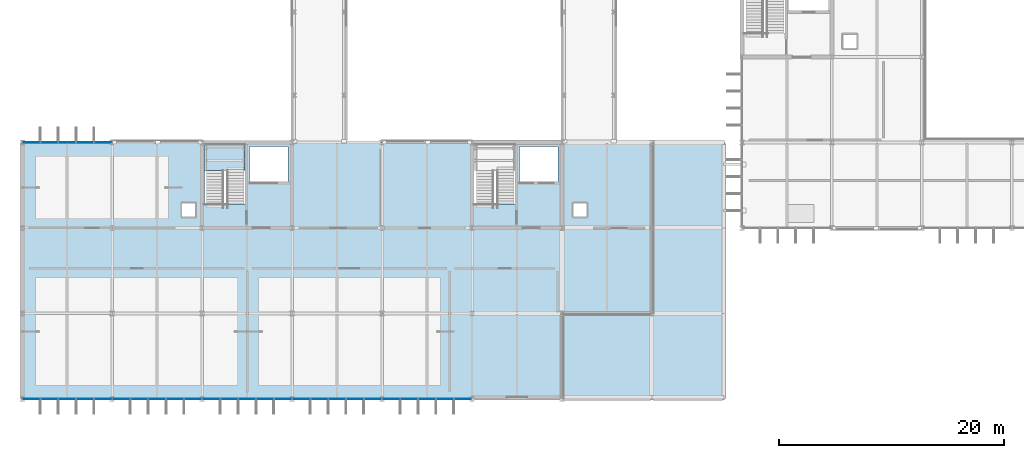
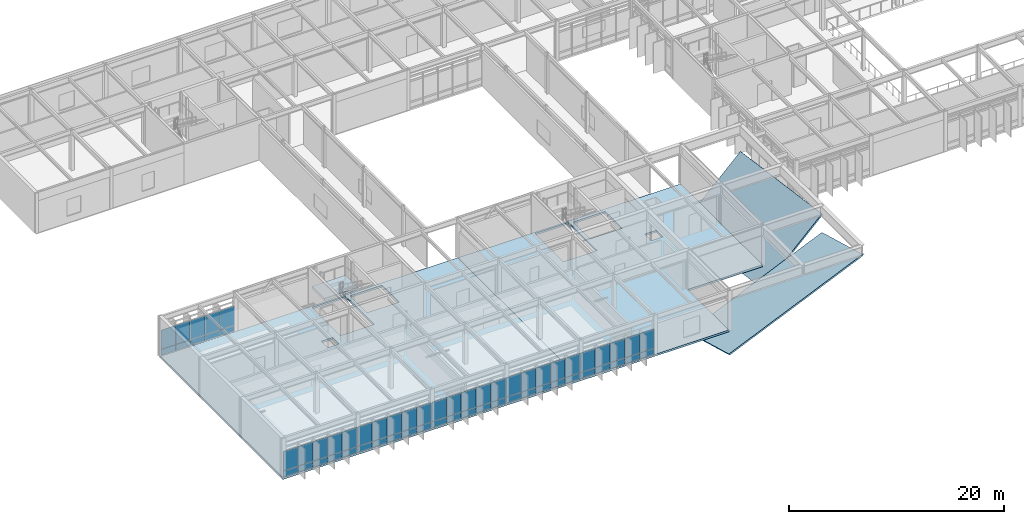
# One storey, part 70 of 104: 60 plates, 5 slabs, 7 elements without a shape of their own.
"""IFC4 building model written with IfcOpenShell, lengths in metres."""

from ifc_helpers import new_model, si_unit, direction, frame, origin, origin_2d, place, context, subcontext, project, spatial, polyline, rectangle, outline, extrude, material, layer, layer_set, type_object, element, aggregate, save


model = new_model("IFC4")

# Units and contexts
model_context = context("Model", 3, precision=1e-05, world=origin(), true_north=direction((0.0, 1.0)))
body_context = subcontext(model_context, "Body", "Model", "MODEL_VIEW")
ifc_project = project(units=[si_unit("LENGTHUNIT", "METRE"), si_unit("AREAUNIT", "SQUARE_METRE"), si_unit("VOLUMEUNIT", "CUBIC_METRE"), si_unit("PLANEANGLEUNIT", "RADIAN"), si_unit("MASSUNIT", "GRAM", prefix="KILO")], contexts=[model_context])

# Site, building, storey
site_placement = place(None, origin())
site = spatial("IfcSite", under=ifc_project, at=site_placement, CompositionType="ELEMENT")
building_placement = place(site_placement, origin())
building = spatial("IfcBuilding", under=site, at=building_placement, Name="Zulena Civic Courthouse", CompositionType="ELEMENT")
storey_placement = place(building_placement, frame((0.0, 0.0, 10.800048828125)))
storey = spatial("IfcBuildingStorey", under=building, at=storey_placement, Name="L02", CompositionType="ELEMENT", Elevation=10.800048828125)

# Curtain wall, plates
ifc_material_1 = material(Name="Double-silver low-E laminated solar-control glass", Category="glass")
curtain_wall_type = type_object("IfcCurtainWallType", Name="CW_7940x3490", PredefinedType="USERDEFINED", material=ifc_material_1)
curtain_wall_1_placement = place(storey_placement, origin())
curtain_wall_1 = element("IfcCurtainWall", 1, at=curtain_wall_1_placement, inside=storey, type_object=curtain_wall_type, Name="cw:V2:L02:1:0", ObjectType="UNITISED CURTAIN WALL", PredefinedType="USERDEFINED")
ifc_material_2 = material(Name="Ceramic-fritted insulated spandrel glass", Category="glass")
ifc_layer_1 = layer(ifc_material_2, 0.0458984375)
ifc_layer_set_1 = layer_set([ifc_layer_1], Name="Ceramic-fritted insulated spandrel glass")
plate_type_1 = type_object("IfcPlateType", Name="CWPanel_Spandrel_46", PredefinedType="CURTAIN_PANEL", material=ifc_layer_set_1)
plate_1_placement = place(storey_placement, frame((4.823974609375, 22.800048828125, 0.070068359375), z_axis=(0.0, 0.0, 1.0), x_axis=(1.0, 0.0, 0.0)))
plate_1 = element("IfcPlate", 2, at=plate_1_placement, type_object=plate_type_1, Name="cw:V2:L02:1:0:panS:0", PredefinedType="CURTAIN_PANEL", context=body_context, shape_type="SweptSolid", body=[
    extrude(rectangle(XDim=1.5380859375, YDim=0.0458984375, at=origin_2d()), origin(), (0.0, 0.0, 1.0), 0.669921875),
])
plate_2_placement = place(storey_placement, frame((6.412109375, 22.800048828125, 0.070068359375), z_axis=(0.0, 0.0, 1.0), x_axis=(1.0, 0.0, 0.0)))
plate_2 = element("IfcPlate", 3, at=plate_2_placement, type_object=plate_type_1, Name="cw:V2:L02:1:0:panS:1", PredefinedType="CURTAIN_PANEL", context=body_context, shape_type="SweptSolid", body=[
    extrude(rectangle(XDim=1.5380859375, YDim=0.0458984375, at=origin_2d()), origin(), (0.0, 0.0, 1.0), 0.669921875),
])
plate_3_placement = place(storey_placement, frame((8.0, 22.800048828125, 0.070068359375), z_axis=(0.0, 0.0, 1.0), x_axis=(1.0, 0.0, 0.0)))
plate_3 = element("IfcPlate", 4, at=plate_3_placement, type_object=plate_type_1, Name="cw:V2:L02:1:0:panS:2", PredefinedType="CURTAIN_PANEL", context=body_context, shape_type="SweptSolid", body=[
    extrude(rectangle(XDim=1.5380859375, YDim=0.0458984375, at=origin_2d()), origin(), (0.0, 0.0, 1.0), 0.669921875),
])
plate_4_placement = place(storey_placement, frame((9.587890625, 22.800048828125, 0.070068359375), z_axis=(0.0, 0.0, 1.0), x_axis=(1.0, 0.0, 0.0)))
plate_4 = element("IfcPlate", 5, at=plate_4_placement, type_object=plate_type_1, Name="cw:V2:L02:1:0:panS:3", PredefinedType="CURTAIN_PANEL", context=body_context, shape_type="SweptSolid", body=[
    extrude(rectangle(XDim=1.5380859375, YDim=0.0458984375, at=origin_2d()), origin(), (0.0, 0.0, 1.0), 0.669921875),
])
plate_5_placement = place(storey_placement, frame((11.176025390625, 22.800048828125, 0.070068359375), z_axis=(0.0, 0.0, 1.0), x_axis=(1.0, 0.0, 0.0)))
plate_5 = element("IfcPlate", 6, at=plate_5_placement, type_object=plate_type_1, Name="cw:V2:L02:1:0:panS:4", PredefinedType="CURTAIN_PANEL", context=body_context, shape_type="SweptSolid", body=[
    extrude(rectangle(XDim=1.5380859375, YDim=0.0458984375, at=origin_2d()), origin(), (0.0, 0.0, 1.0), 0.669921875),
])

curtain_wall_2_placement = place(storey_placement, origin())
curtain_wall_2 = element("IfcCurtainWall", 7, at=curtain_wall_2_placement, inside=storey, type_object=curtain_wall_type, Name="cw:V2:L02:5:1", ObjectType="UNITISED CURTAIN WALL", PredefinedType="USERDEFINED")
plate_6_placement = place(storey_placement, frame((43.176025390625, 0.0, 0.070068359375), z_axis=(0.0, 0.0, 1.0), x_axis=(-1.0, 0.0, 0.0)))
plate_6 = element("IfcPlate", 8, at=plate_6_placement, type_object=plate_type_1, Name="cw:V2:L02:5:1:panS:0", PredefinedType="CURTAIN_PANEL", context=body_context, shape_type="SweptSolid", body=[
    extrude(rectangle(XDim=1.5380859375, YDim=0.0458984375, at=origin_2d()), origin(), (0.0, 0.0, 1.0), 0.669921875),
])
plate_7_placement = place(storey_placement, frame((41.587890625, 0.0, 0.070068359375), z_axis=(0.0, 0.0, 1.0), x_axis=(-1.0, 0.0, 0.0)))
plate_7 = element("IfcPlate", 9, at=plate_7_placement, type_object=plate_type_1, Name="cw:V2:L02:5:1:panS:1", PredefinedType="CURTAIN_PANEL", context=body_context, shape_type="SweptSolid", body=[
    extrude(rectangle(XDim=1.5380859375, YDim=0.0458984375, at=origin_2d()), origin(), (0.0, 0.0, 1.0), 0.669921875),
])
plate_8_placement = place(storey_placement, frame((40.0, 0.0, 0.070068359375), z_axis=(0.0, 0.0, 1.0), x_axis=(-1.0, 0.0, 0.0)))
plate_8 = element("IfcPlate", 10, at=plate_8_placement, type_object=plate_type_1, Name="cw:V2:L02:5:1:panS:2", PredefinedType="CURTAIN_PANEL", context=body_context, shape_type="SweptSolid", body=[
    extrude(rectangle(XDim=1.5380859375, YDim=0.0458984375, at=origin_2d()), origin(), (0.0, 0.0, 1.0), 0.669921875),
])
plate_9_placement = place(storey_placement, frame((38.412109375, 0.0, 0.070068359375), z_axis=(0.0, 0.0, 1.0), x_axis=(-1.0, 0.0, 0.0)))
plate_9 = element("IfcPlate", 11, at=plate_9_placement, type_object=plate_type_1, Name="cw:V2:L02:5:1:panS:3", PredefinedType="CURTAIN_PANEL", context=body_context, shape_type="SweptSolid", body=[
    extrude(rectangle(XDim=1.5380859375, YDim=0.0458984375, at=origin_2d()), origin(), (0.0, 0.0, 1.0), 0.669921875),
])
plate_10_placement = place(storey_placement, frame((36.823974609375, 0.0, 0.070068359375), z_axis=(0.0, 0.0, 1.0), x_axis=(-1.0, 0.0, 0.0)))
plate_10 = element("IfcPlate", 12, at=plate_10_placement, type_object=plate_type_1, Name="cw:V2:L02:5:1:panS:4", PredefinedType="CURTAIN_PANEL", context=body_context, shape_type="SweptSolid", body=[
    extrude(rectangle(XDim=1.5380859375, YDim=0.0458984375, at=origin_2d()), origin(), (0.0, 0.0, 1.0), 0.669921875),
])

curtain_wall_3_placement = place(storey_placement, origin())
curtain_wall_3 = element("IfcCurtainWall", 13, at=curtain_wall_3_placement, inside=storey, type_object=curtain_wall_type, Name="cw:V2:L02:5:2", ObjectType="UNITISED CURTAIN WALL", PredefinedType="USERDEFINED")
plate_11_placement = place(storey_placement, frame((35.176025390625, 0.0, 0.070068359375), z_axis=(0.0, 0.0, 1.0), x_axis=(-1.0, 0.0, 0.0)))
plate_11 = element("IfcPlate", 14, at=plate_11_placement, type_object=plate_type_1, Name="cw:V2:L02:5:2:panS:0", PredefinedType="CURTAIN_PANEL", context=body_context, shape_type="SweptSolid", body=[
    extrude(rectangle(XDim=1.5380859375, YDim=0.0458984375, at=origin_2d()), origin(), (0.0, 0.0, 1.0), 0.669921875),
])
plate_12_placement = place(storey_placement, frame((33.587890625, 0.0, 0.070068359375), z_axis=(0.0, 0.0, 1.0), x_axis=(-1.0, 0.0, 0.0)))
plate_12 = element("IfcPlate", 15, at=plate_12_placement, type_object=plate_type_1, Name="cw:V2:L02:5:2:panS:1", PredefinedType="CURTAIN_PANEL", context=body_context, shape_type="SweptSolid", body=[
    extrude(rectangle(XDim=1.5380859375, YDim=0.0458984375, at=origin_2d()), origin(), (0.0, 0.0, 1.0), 0.669921875),
])
plate_13_placement = place(storey_placement, frame((32.0, 0.0, 0.070068359375), z_axis=(0.0, 0.0, 1.0), x_axis=(-1.0, 0.0, 0.0)))
plate_13 = element("IfcPlate", 16, at=plate_13_placement, type_object=plate_type_1, Name="cw:V2:L02:5:2:panS:2", PredefinedType="CURTAIN_PANEL", context=body_context, shape_type="SweptSolid", body=[
    extrude(rectangle(XDim=1.5380859375, YDim=0.0458984375, at=origin_2d()), origin(), (0.0, 0.0, 1.0), 0.669921875),
])
plate_14_placement = place(storey_placement, frame((30.412109375, 0.0, 0.070068359375), z_axis=(0.0, 0.0, 1.0), x_axis=(-1.0, 0.0, 0.0)))
plate_14 = element("IfcPlate", 17, at=plate_14_placement, type_object=plate_type_1, Name="cw:V2:L02:5:2:panS:3", PredefinedType="CURTAIN_PANEL", context=body_context, shape_type="SweptSolid", body=[
    extrude(rectangle(XDim=1.5380859375, YDim=0.0458984375, at=origin_2d()), origin(), (0.0, 0.0, 1.0), 0.669921875),
])
plate_15_placement = place(storey_placement, frame((28.823974609375, 0.0, 0.070068359375), z_axis=(0.0, 0.0, 1.0), x_axis=(-1.0, 0.0, 0.0)))
plate_15 = element("IfcPlate", 18, at=plate_15_placement, type_object=plate_type_1, Name="cw:V2:L02:5:2:panS:4", PredefinedType="CURTAIN_PANEL", context=body_context, shape_type="SweptSolid", body=[
    extrude(rectangle(XDim=1.5380859375, YDim=0.0458984375, at=origin_2d()), origin(), (0.0, 0.0, 1.0), 0.669921875),
])

curtain_wall_4_placement = place(storey_placement, origin())
curtain_wall_4 = element("IfcCurtainWall", 19, at=curtain_wall_4_placement, inside=storey, type_object=curtain_wall_type, Name="cw:V2:L02:5:3", ObjectType="UNITISED CURTAIN WALL", PredefinedType="USERDEFINED")
plate_16_placement = place(storey_placement, frame((27.176025390625, 0.0, 0.070068359375), z_axis=(0.0, 0.0, 1.0), x_axis=(-1.0, 0.0, 0.0)))
plate_16 = element("IfcPlate", 20, at=plate_16_placement, type_object=plate_type_1, Name="cw:V2:L02:5:3:panS:0", PredefinedType="CURTAIN_PANEL", context=body_context, shape_type="SweptSolid", body=[
    extrude(rectangle(XDim=1.5380859375, YDim=0.0458984375, at=origin_2d()), origin(), (0.0, 0.0, 1.0), 0.669921875),
])
plate_17_placement = place(storey_placement, frame((25.587890625, 0.0, 0.070068359375), z_axis=(0.0, 0.0, 1.0), x_axis=(-1.0, 0.0, 0.0)))
plate_17 = element("IfcPlate", 21, at=plate_17_placement, type_object=plate_type_1, Name="cw:V2:L02:5:3:panS:1", PredefinedType="CURTAIN_PANEL", context=body_context, shape_type="SweptSolid", body=[
    extrude(rectangle(XDim=1.5380859375, YDim=0.0458984375, at=origin_2d()), origin(), (0.0, 0.0, 1.0), 0.669921875),
])
plate_18_placement = place(storey_placement, frame((24.0, 0.0, 0.070068359375), z_axis=(0.0, 0.0, 1.0), x_axis=(-1.0, 0.0, 0.0)))
plate_18 = element("IfcPlate", 22, at=plate_18_placement, type_object=plate_type_1, Name="cw:V2:L02:5:3:panS:2", PredefinedType="CURTAIN_PANEL", context=body_context, shape_type="SweptSolid", body=[
    extrude(rectangle(XDim=1.5380859375, YDim=0.0458984375, at=origin_2d()), origin(), (0.0, 0.0, 1.0), 0.669921875),
])
plate_19_placement = place(storey_placement, frame((22.412109375, 0.0, 0.070068359375), z_axis=(0.0, 0.0, 1.0), x_axis=(-1.0, 0.0, 0.0)))
plate_19 = element("IfcPlate", 23, at=plate_19_placement, type_object=plate_type_1, Name="cw:V2:L02:5:3:panS:3", PredefinedType="CURTAIN_PANEL", context=body_context, shape_type="SweptSolid", body=[
    extrude(rectangle(XDim=1.5380859375, YDim=0.0458984375, at=origin_2d()), origin(), (0.0, 0.0, 1.0), 0.669921875),
])
plate_20_placement = place(storey_placement, frame((20.823974609375, 0.0, 0.070068359375), z_axis=(0.0, 0.0, 1.0), x_axis=(-1.0, 0.0, 0.0)))
plate_20 = element("IfcPlate", 24, at=plate_20_placement, type_object=plate_type_1, Name="cw:V2:L02:5:3:panS:4", PredefinedType="CURTAIN_PANEL", context=body_context, shape_type="SweptSolid", body=[
    extrude(rectangle(XDim=1.5380859375, YDim=0.0458984375, at=origin_2d()), origin(), (0.0, 0.0, 1.0), 0.669921875),
])

curtain_wall_5_placement = place(storey_placement, origin())
curtain_wall_5 = element("IfcCurtainWall", 25, at=curtain_wall_5_placement, inside=storey, type_object=curtain_wall_type, Name="cw:V2:L02:5:4", ObjectType="UNITISED CURTAIN WALL", PredefinedType="USERDEFINED")
plate_21_placement = place(storey_placement, frame((19.176025390625, 0.0, 0.070068359375), z_axis=(0.0, 0.0, 1.0), x_axis=(-1.0, 0.0, 0.0)))
plate_21 = element("IfcPlate", 26, at=plate_21_placement, type_object=plate_type_1, Name="cw:V2:L02:5:4:panS:0", PredefinedType="CURTAIN_PANEL", context=body_context, shape_type="SweptSolid", body=[
    extrude(rectangle(XDim=1.5380859375, YDim=0.0458984375, at=origin_2d()), origin(), (0.0, 0.0, 1.0), 0.669921875),
])
plate_22_placement = place(storey_placement, frame((17.587890625, 0.0, 0.070068359375), z_axis=(0.0, 0.0, 1.0), x_axis=(-1.0, 0.0, 0.0)))
plate_22 = element("IfcPlate", 27, at=plate_22_placement, type_object=plate_type_1, Name="cw:V2:L02:5:4:panS:1", PredefinedType="CURTAIN_PANEL", context=body_context, shape_type="SweptSolid", body=[
    extrude(rectangle(XDim=1.5380859375, YDim=0.0458984375, at=origin_2d()), origin(), (0.0, 0.0, 1.0), 0.669921875),
])
plate_23_placement = place(storey_placement, frame((16.0, 0.0, 0.070068359375), z_axis=(0.0, 0.0, 1.0), x_axis=(-1.0, 0.0, 0.0)))
plate_23 = element("IfcPlate", 28, at=plate_23_placement, type_object=plate_type_1, Name="cw:V2:L02:5:4:panS:2", PredefinedType="CURTAIN_PANEL", context=body_context, shape_type="SweptSolid", body=[
    extrude(rectangle(XDim=1.5380859375, YDim=0.0458984375, at=origin_2d()), origin(), (0.0, 0.0, 1.0), 0.669921875),
])
plate_24_placement = place(storey_placement, frame((14.412109375, 0.0, 0.070068359375), z_axis=(0.0, 0.0, 1.0), x_axis=(-1.0, 0.0, 0.0)))
plate_24 = element("IfcPlate", 29, at=plate_24_placement, type_object=plate_type_1, Name="cw:V2:L02:5:4:panS:3", PredefinedType="CURTAIN_PANEL", context=body_context, shape_type="SweptSolid", body=[
    extrude(rectangle(XDim=1.5380859375, YDim=0.0458984375, at=origin_2d()), origin(), (0.0, 0.0, 1.0), 0.669921875),
])
plate_25_placement = place(storey_placement, frame((12.823974609375, 0.0, 0.070068359375), z_axis=(0.0, 0.0, 1.0), x_axis=(-1.0, 0.0, 0.0)))
plate_25 = element("IfcPlate", 30, at=plate_25_placement, type_object=plate_type_1, Name="cw:V2:L02:5:4:panS:4", PredefinedType="CURTAIN_PANEL", context=body_context, shape_type="SweptSolid", body=[
    extrude(rectangle(XDim=1.5380859375, YDim=0.0458984375, at=origin_2d()), origin(), (0.0, 0.0, 1.0), 0.669921875),
])

curtain_wall_6_placement = place(storey_placement, origin())
curtain_wall_6 = element("IfcCurtainWall", 31, at=curtain_wall_6_placement, inside=storey, type_object=curtain_wall_type, Name="cw:V2:L02:5:5", ObjectType="UNITISED CURTAIN WALL", PredefinedType="USERDEFINED")
plate_26_placement = place(storey_placement, frame((11.176025390625, 0.0, 0.070068359375), z_axis=(0.0, 0.0, 1.0), x_axis=(-1.0, 0.0, 0.0)))
plate_26 = element("IfcPlate", 32, at=plate_26_placement, type_object=plate_type_1, Name="cw:V2:L02:5:5:panS:0", PredefinedType="CURTAIN_PANEL", context=body_context, shape_type="SweptSolid", body=[
    extrude(rectangle(XDim=1.5380859375, YDim=0.0458984375, at=origin_2d()), origin(), (0.0, 0.0, 1.0), 0.669921875),
])
plate_27_placement = place(storey_placement, frame((9.587890625, 0.0, 0.070068359375), z_axis=(0.0, 0.0, 1.0), x_axis=(-1.0, 0.0, 0.0)))
plate_27 = element("IfcPlate", 33, at=plate_27_placement, type_object=plate_type_1, Name="cw:V2:L02:5:5:panS:1", PredefinedType="CURTAIN_PANEL", context=body_context, shape_type="SweptSolid", body=[
    extrude(rectangle(XDim=1.5380859375, YDim=0.0458984375, at=origin_2d()), origin(), (0.0, 0.0, 1.0), 0.669921875),
])
plate_28_placement = place(storey_placement, frame((8.0, 0.0, 0.070068359375), z_axis=(0.0, 0.0, 1.0), x_axis=(-1.0, 0.0, 0.0)))
plate_28 = element("IfcPlate", 34, at=plate_28_placement, type_object=plate_type_1, Name="cw:V2:L02:5:5:panS:2", PredefinedType="CURTAIN_PANEL", context=body_context, shape_type="SweptSolid", body=[
    extrude(rectangle(XDim=1.5380859375, YDim=0.0458984375, at=origin_2d()), origin(), (0.0, 0.0, 1.0), 0.669921875),
])
plate_29_placement = place(storey_placement, frame((6.412109375, 0.0, 0.070068359375), z_axis=(0.0, 0.0, 1.0), x_axis=(-1.0, 0.0, 0.0)))
plate_29 = element("IfcPlate", 35, at=plate_29_placement, type_object=plate_type_1, Name="cw:V2:L02:5:5:panS:3", PredefinedType="CURTAIN_PANEL", context=body_context, shape_type="SweptSolid", body=[
    extrude(rectangle(XDim=1.5380859375, YDim=0.0458984375, at=origin_2d()), origin(), (0.0, 0.0, 1.0), 0.669921875),
])
plate_30_placement = place(storey_placement, frame((4.823974609375, 0.0, 0.070068359375), z_axis=(0.0, 0.0, 1.0), x_axis=(-1.0, 0.0, 0.0)))
plate_30 = element("IfcPlate", 36, at=plate_30_placement, type_object=plate_type_1, Name="cw:V2:L02:5:5:panS:4", PredefinedType="CURTAIN_PANEL", context=body_context, shape_type="SweptSolid", body=[
    extrude(rectangle(XDim=1.5380859375, YDim=0.0458984375, at=origin_2d()), origin(), (0.0, 0.0, 1.0), 0.669921875),
])

# Plate
ifc_layer_2 = layer(ifc_material_1, 0.035888671875)
ifc_layer_set_2 = layer_set([ifc_layer_2], Name="Double-silver low-E laminated solar-control glass")
plate_type_2 = type_object("IfcPlateType", Name="CWPanel_Vision_36", PredefinedType="CURTAIN_PANEL", material=ifc_layer_set_2)
plate_31_placement = place(storey_placement, frame((4.823974609375, 22.800048828125, 0.760009765625), z_axis=(0.0, 0.0, 1.0), x_axis=(1.0, 0.0, 0.0)))
plate_31 = element("IfcPlate", 37, at=plate_31_placement, type_object=plate_type_2, Name="cw:V2:L02:1:0:panV:0", PredefinedType="CURTAIN_PANEL", context=body_context, shape_type="SweptSolid", body=[
    extrude(rectangle(XDim=1.5380859375, YDim=0.035888671875, at=origin_2d()), origin(), (0.0, 0.0, 1.0), 2.169921875),
])

plate_32_placement = place(storey_placement, frame((6.412109375, 22.800048828125, 0.760009765625), z_axis=(0.0, 0.0, 1.0), x_axis=(1.0, 0.0, 0.0)))
plate_32 = element("IfcPlate", 38, at=plate_32_placement, type_object=plate_type_2, Name="cw:V2:L02:1:0:panV:1", PredefinedType="CURTAIN_PANEL", context=body_context, shape_type="SweptSolid", body=[
    extrude(rectangle(XDim=1.5380859375, YDim=0.035888671875, at=origin_2d()), origin(), (0.0, 0.0, 1.0), 2.169921875),
])

plate_33_placement = place(storey_placement, frame((8.0, 22.800048828125, 0.760009765625), z_axis=(0.0, 0.0, 1.0), x_axis=(1.0, 0.0, 0.0)))
plate_33 = element("IfcPlate", 39, at=plate_33_placement, type_object=plate_type_2, Name="cw:V2:L02:1:0:panV:2", PredefinedType="CURTAIN_PANEL", context=body_context, shape_type="SweptSolid", body=[
    extrude(rectangle(XDim=1.5380859375, YDim=0.035888671875, at=origin_2d()), origin(), (0.0, 0.0, 1.0), 2.169921875),
])

plate_34_placement = place(storey_placement, frame((9.587890625, 22.800048828125, 0.760009765625), z_axis=(0.0, 0.0, 1.0), x_axis=(1.0, 0.0, 0.0)))
plate_34 = element("IfcPlate", 40, at=plate_34_placement, type_object=plate_type_2, Name="cw:V2:L02:1:0:panV:3", PredefinedType="CURTAIN_PANEL", context=body_context, shape_type="SweptSolid", body=[
    extrude(rectangle(XDim=1.5380859375, YDim=0.035888671875, at=origin_2d()), origin(), (0.0, 0.0, 1.0), 2.169921875),
])

plate_35_placement = place(storey_placement, frame((11.176025390625, 22.800048828125, 0.760009765625), z_axis=(0.0, 0.0, 1.0), x_axis=(1.0, 0.0, 0.0)))
plate_35 = element("IfcPlate", 41, at=plate_35_placement, type_object=plate_type_2, Name="cw:V2:L02:1:0:panV:4", PredefinedType="CURTAIN_PANEL", context=body_context, shape_type="SweptSolid", body=[
    extrude(rectangle(XDim=1.5380859375, YDim=0.035888671875, at=origin_2d()), origin(), (0.0, 0.0, 1.0), 2.169921875),
])

aggregate(curtain_wall_1, [plate_31, plate_1, plate_32, plate_2, plate_33, plate_3, plate_34, plate_4, plate_35, plate_5])

plate_36_placement = place(storey_placement, frame((43.176025390625, 0.0, 0.760009765625), z_axis=(0.0, 0.0, 1.0), x_axis=(-1.0, 0.0, 0.0)))
plate_36 = element("IfcPlate", 42, at=plate_36_placement, type_object=plate_type_2, Name="cw:V2:L02:5:1:panV:0", PredefinedType="CURTAIN_PANEL", context=body_context, shape_type="SweptSolid", body=[
    extrude(rectangle(XDim=1.5380859375, YDim=0.035888671875, at=origin_2d()), origin(), (0.0, 0.0, 1.0), 2.169921875),
])

plate_37_placement = place(storey_placement, frame((41.587890625, 0.0, 0.760009765625), z_axis=(0.0, 0.0, 1.0), x_axis=(-1.0, 0.0, 0.0)))
plate_37 = element("IfcPlate", 43, at=plate_37_placement, type_object=plate_type_2, Name="cw:V2:L02:5:1:panV:1", PredefinedType="CURTAIN_PANEL", context=body_context, shape_type="SweptSolid", body=[
    extrude(rectangle(XDim=1.5380859375, YDim=0.035888671875, at=origin_2d()), origin(), (0.0, 0.0, 1.0), 2.169921875),
])

plate_38_placement = place(storey_placement, frame((40.0, 0.0, 0.760009765625), z_axis=(0.0, 0.0, 1.0), x_axis=(-1.0, 0.0, 0.0)))
plate_38 = element("IfcPlate", 44, at=plate_38_placement, type_object=plate_type_2, Name="cw:V2:L02:5:1:panV:2", PredefinedType="CURTAIN_PANEL", context=body_context, shape_type="SweptSolid", body=[
    extrude(rectangle(XDim=1.5380859375, YDim=0.035888671875, at=origin_2d()), origin(), (0.0, 0.0, 1.0), 2.169921875),
])

plate_39_placement = place(storey_placement, frame((38.412109375, 0.0, 0.760009765625), z_axis=(0.0, 0.0, 1.0), x_axis=(-1.0, 0.0, 0.0)))
plate_39 = element("IfcPlate", 45, at=plate_39_placement, type_object=plate_type_2, Name="cw:V2:L02:5:1:panV:3", PredefinedType="CURTAIN_PANEL", context=body_context, shape_type="SweptSolid", body=[
    extrude(rectangle(XDim=1.5380859375, YDim=0.035888671875, at=origin_2d()), origin(), (0.0, 0.0, 1.0), 2.169921875),
])

plate_40_placement = place(storey_placement, frame((36.823974609375, 0.0, 0.760009765625), z_axis=(0.0, 0.0, 1.0), x_axis=(-1.0, 0.0, 0.0)))
plate_40 = element("IfcPlate", 46, at=plate_40_placement, type_object=plate_type_2, Name="cw:V2:L02:5:1:panV:4", PredefinedType="CURTAIN_PANEL", context=body_context, shape_type="SweptSolid", body=[
    extrude(rectangle(XDim=1.5380859375, YDim=0.035888671875, at=origin_2d()), origin(), (0.0, 0.0, 1.0), 2.169921875),
])

aggregate(curtain_wall_2, [plate_36, plate_6, plate_37, plate_7, plate_38, plate_8, plate_39, plate_9, plate_40, plate_10])

plate_41_placement = place(storey_placement, frame((35.176025390625, 0.0, 0.760009765625), z_axis=(0.0, 0.0, 1.0), x_axis=(-1.0, 0.0, 0.0)))
plate_41 = element("IfcPlate", 47, at=plate_41_placement, type_object=plate_type_2, Name="cw:V2:L02:5:2:panV:0", PredefinedType="CURTAIN_PANEL", context=body_context, shape_type="SweptSolid", body=[
    extrude(rectangle(XDim=1.5380859375, YDim=0.035888671875, at=origin_2d()), origin(), (0.0, 0.0, 1.0), 2.169921875),
])

plate_42_placement = place(storey_placement, frame((33.587890625, 0.0, 0.760009765625), z_axis=(0.0, 0.0, 1.0), x_axis=(-1.0, 0.0, 0.0)))
plate_42 = element("IfcPlate", 48, at=plate_42_placement, type_object=plate_type_2, Name="cw:V2:L02:5:2:panV:1", PredefinedType="CURTAIN_PANEL", context=body_context, shape_type="SweptSolid", body=[
    extrude(rectangle(XDim=1.5380859375, YDim=0.035888671875, at=origin_2d()), origin(), (0.0, 0.0, 1.0), 2.169921875),
])

plate_43_placement = place(storey_placement, frame((32.0, 0.0, 0.760009765625), z_axis=(0.0, 0.0, 1.0), x_axis=(-1.0, 0.0, 0.0)))
plate_43 = element("IfcPlate", 49, at=plate_43_placement, type_object=plate_type_2, Name="cw:V2:L02:5:2:panV:2", PredefinedType="CURTAIN_PANEL", context=body_context, shape_type="SweptSolid", body=[
    extrude(rectangle(XDim=1.5380859375, YDim=0.035888671875, at=origin_2d()), origin(), (0.0, 0.0, 1.0), 2.169921875),
])

plate_44_placement = place(storey_placement, frame((30.412109375, 0.0, 0.760009765625), z_axis=(0.0, 0.0, 1.0), x_axis=(-1.0, 0.0, 0.0)))
plate_44 = element("IfcPlate", 50, at=plate_44_placement, type_object=plate_type_2, Name="cw:V2:L02:5:2:panV:3", PredefinedType="CURTAIN_PANEL", context=body_context, shape_type="SweptSolid", body=[
    extrude(rectangle(XDim=1.5380859375, YDim=0.035888671875, at=origin_2d()), origin(), (0.0, 0.0, 1.0), 2.169921875),
])

plate_45_placement = place(storey_placement, frame((28.823974609375, 0.0, 0.760009765625), z_axis=(0.0, 0.0, 1.0), x_axis=(-1.0, 0.0, 0.0)))
plate_45 = element("IfcPlate", 51, at=plate_45_placement, type_object=plate_type_2, Name="cw:V2:L02:5:2:panV:4", PredefinedType="CURTAIN_PANEL", context=body_context, shape_type="SweptSolid", body=[
    extrude(rectangle(XDim=1.5380859375, YDim=0.035888671875, at=origin_2d()), origin(), (0.0, 0.0, 1.0), 2.169921875),
])

aggregate(curtain_wall_3, [plate_41, plate_11, plate_42, plate_12, plate_43, plate_13, plate_44, plate_14, plate_45, plate_15])

plate_46_placement = place(storey_placement, frame((27.176025390625, 0.0, 0.760009765625), z_axis=(0.0, 0.0, 1.0), x_axis=(-1.0, 0.0, 0.0)))
plate_46 = element("IfcPlate", 52, at=plate_46_placement, type_object=plate_type_2, Name="cw:V2:L02:5:3:panV:0", PredefinedType="CURTAIN_PANEL", context=body_context, shape_type="SweptSolid", body=[
    extrude(rectangle(XDim=1.5380859375, YDim=0.035888671875, at=origin_2d()), origin(), (0.0, 0.0, 1.0), 2.169921875),
])

plate_47_placement = place(storey_placement, frame((25.587890625, 0.0, 0.760009765625), z_axis=(0.0, 0.0, 1.0), x_axis=(-1.0, 0.0, 0.0)))
plate_47 = element("IfcPlate", 53, at=plate_47_placement, type_object=plate_type_2, Name="cw:V2:L02:5:3:panV:1", PredefinedType="CURTAIN_PANEL", context=body_context, shape_type="SweptSolid", body=[
    extrude(rectangle(XDim=1.5380859375, YDim=0.035888671875, at=origin_2d()), origin(), (0.0, 0.0, 1.0), 2.169921875),
])

plate_48_placement = place(storey_placement, frame((24.0, 0.0, 0.760009765625), z_axis=(0.0, 0.0, 1.0), x_axis=(-1.0, 0.0, 0.0)))
plate_48 = element("IfcPlate", 54, at=plate_48_placement, type_object=plate_type_2, Name="cw:V2:L02:5:3:panV:2", PredefinedType="CURTAIN_PANEL", context=body_context, shape_type="SweptSolid", body=[
    extrude(rectangle(XDim=1.5380859375, YDim=0.035888671875, at=origin_2d()), origin(), (0.0, 0.0, 1.0), 2.169921875),
])

plate_49_placement = place(storey_placement, frame((22.412109375, 0.0, 0.760009765625), z_axis=(0.0, 0.0, 1.0), x_axis=(-1.0, 0.0, 0.0)))
plate_49 = element("IfcPlate", 55, at=plate_49_placement, type_object=plate_type_2, Name="cw:V2:L02:5:3:panV:3", PredefinedType="CURTAIN_PANEL", context=body_context, shape_type="SweptSolid", body=[
    extrude(rectangle(XDim=1.5380859375, YDim=0.035888671875, at=origin_2d()), origin(), (0.0, 0.0, 1.0), 2.169921875),
])

plate_50_placement = place(storey_placement, frame((20.823974609375, 0.0, 0.760009765625), z_axis=(0.0, 0.0, 1.0), x_axis=(-1.0, 0.0, 0.0)))
plate_50 = element("IfcPlate", 56, at=plate_50_placement, type_object=plate_type_2, Name="cw:V2:L02:5:3:panV:4", PredefinedType="CURTAIN_PANEL", context=body_context, shape_type="SweptSolid", body=[
    extrude(rectangle(XDim=1.5380859375, YDim=0.035888671875, at=origin_2d()), origin(), (0.0, 0.0, 1.0), 2.169921875),
])

aggregate(curtain_wall_4, [plate_46, plate_16, plate_47, plate_17, plate_48, plate_18, plate_49, plate_19, plate_50, plate_20])

plate_51_placement = place(storey_placement, frame((19.176025390625, 0.0, 0.760009765625), z_axis=(0.0, 0.0, 1.0), x_axis=(-1.0, 0.0, 0.0)))
plate_51 = element("IfcPlate", 57, at=plate_51_placement, type_object=plate_type_2, Name="cw:V2:L02:5:4:panV:0", PredefinedType="CURTAIN_PANEL", context=body_context, shape_type="SweptSolid", body=[
    extrude(rectangle(XDim=1.5380859375, YDim=0.035888671875, at=origin_2d()), origin(), (0.0, 0.0, 1.0), 2.169921875),
])

plate_52_placement = place(storey_placement, frame((17.587890625, 0.0, 0.760009765625), z_axis=(0.0, 0.0, 1.0), x_axis=(-1.0, 0.0, 0.0)))
plate_52 = element("IfcPlate", 58, at=plate_52_placement, type_object=plate_type_2, Name="cw:V2:L02:5:4:panV:1", PredefinedType="CURTAIN_PANEL", context=body_context, shape_type="SweptSolid", body=[
    extrude(rectangle(XDim=1.5380859375, YDim=0.035888671875, at=origin_2d()), origin(), (0.0, 0.0, 1.0), 2.169921875),
])

plate_53_placement = place(storey_placement, frame((16.0, 0.0, 0.760009765625), z_axis=(0.0, 0.0, 1.0), x_axis=(-1.0, 0.0, 0.0)))
plate_53 = element("IfcPlate", 59, at=plate_53_placement, type_object=plate_type_2, Name="cw:V2:L02:5:4:panV:2", PredefinedType="CURTAIN_PANEL", context=body_context, shape_type="SweptSolid", body=[
    extrude(rectangle(XDim=1.5380859375, YDim=0.035888671875, at=origin_2d()), origin(), (0.0, 0.0, 1.0), 2.169921875),
])

plate_54_placement = place(storey_placement, frame((14.412109375, 0.0, 0.760009765625), z_axis=(0.0, 0.0, 1.0), x_axis=(-1.0, 0.0, 0.0)))
plate_54 = element("IfcPlate", 60, at=plate_54_placement, type_object=plate_type_2, Name="cw:V2:L02:5:4:panV:3", PredefinedType="CURTAIN_PANEL", context=body_context, shape_type="SweptSolid", body=[
    extrude(rectangle(XDim=1.5380859375, YDim=0.035888671875, at=origin_2d()), origin(), (0.0, 0.0, 1.0), 2.169921875),
])

plate_55_placement = place(storey_placement, frame((12.823974609375, 0.0, 0.760009765625), z_axis=(0.0, 0.0, 1.0), x_axis=(-1.0, 0.0, 0.0)))
plate_55 = element("IfcPlate", 61, at=plate_55_placement, type_object=plate_type_2, Name="cw:V2:L02:5:4:panV:4", PredefinedType="CURTAIN_PANEL", context=body_context, shape_type="SweptSolid", body=[
    extrude(rectangle(XDim=1.5380859375, YDim=0.035888671875, at=origin_2d()), origin(), (0.0, 0.0, 1.0), 2.169921875),
])

aggregate(curtain_wall_5, [plate_51, plate_21, plate_52, plate_22, plate_53, plate_23, plate_54, plate_24, plate_55, plate_25])

plate_56_placement = place(storey_placement, frame((11.176025390625, 0.0, 0.760009765625), z_axis=(0.0, 0.0, 1.0), x_axis=(-1.0, 0.0, 0.0)))
plate_56 = element("IfcPlate", 62, at=plate_56_placement, type_object=plate_type_2, Name="cw:V2:L02:5:5:panV:0", PredefinedType="CURTAIN_PANEL", context=body_context, shape_type="SweptSolid", body=[
    extrude(rectangle(XDim=1.5380859375, YDim=0.035888671875, at=origin_2d()), origin(), (0.0, 0.0, 1.0), 2.169921875),
])

plate_57_placement = place(storey_placement, frame((9.587890625, 0.0, 0.760009765625), z_axis=(0.0, 0.0, 1.0), x_axis=(-1.0, 0.0, 0.0)))
plate_57 = element("IfcPlate", 63, at=plate_57_placement, type_object=plate_type_2, Name="cw:V2:L02:5:5:panV:1", PredefinedType="CURTAIN_PANEL", context=body_context, shape_type="SweptSolid", body=[
    extrude(rectangle(XDim=1.5380859375, YDim=0.035888671875, at=origin_2d()), origin(), (0.0, 0.0, 1.0), 2.169921875),
])

plate_58_placement = place(storey_placement, frame((8.0, 0.0, 0.760009765625), z_axis=(0.0, 0.0, 1.0), x_axis=(-1.0, 0.0, 0.0)))
plate_58 = element("IfcPlate", 64, at=plate_58_placement, type_object=plate_type_2, Name="cw:V2:L02:5:5:panV:2", PredefinedType="CURTAIN_PANEL", context=body_context, shape_type="SweptSolid", body=[
    extrude(rectangle(XDim=1.5380859375, YDim=0.035888671875, at=origin_2d()), origin(), (0.0, 0.0, 1.0), 2.169921875),
])

plate_59_placement = place(storey_placement, frame((6.412109375, 0.0, 0.760009765625), z_axis=(0.0, 0.0, 1.0), x_axis=(-1.0, 0.0, 0.0)))
plate_59 = element("IfcPlate", 65, at=plate_59_placement, type_object=plate_type_2, Name="cw:V2:L02:5:5:panV:3", PredefinedType="CURTAIN_PANEL", context=body_context, shape_type="SweptSolid", body=[
    extrude(rectangle(XDim=1.5380859375, YDim=0.035888671875, at=origin_2d()), origin(), (0.0, 0.0, 1.0), 2.169921875),
])

plate_60_placement = place(storey_placement, frame((4.823974609375, 0.0, 0.760009765625), z_axis=(0.0, 0.0, 1.0), x_axis=(-1.0, 0.0, 0.0)))
plate_60 = element("IfcPlate", 66, at=plate_60_placement, type_object=plate_type_2, Name="cw:V2:L02:5:5:panV:4", PredefinedType="CURTAIN_PANEL", context=body_context, shape_type="SweptSolid", body=[
    extrude(rectangle(XDim=1.5380859375, YDim=0.035888671875, at=origin_2d()), origin(), (0.0, 0.0, 1.0), 2.169921875),
])

aggregate(curtain_wall_6, [plate_56, plate_26, plate_57, plate_27, plate_58, plate_28, plate_59, plate_29, plate_60, plate_30])

# Slabs
ifc_material_3 = material(Name="Concrete C35/45", Category="concrete")
ifc_layer_3 = layer(ifc_material_3, 0.215087890625)
ifc_layer_set_3 = layer_set([ifc_layer_3], Name="Concrete C35/45")
slab_type_1 = type_object("IfcSlabType", Name="FloorSlab_215", PredefinedType="FLOOR", material=ifc_layer_set_3)
slab_1_placement = place(storey_placement, frame((0.0, 0.0, -0.215087890625)))
element("IfcSlab", 67, at=slab_1_placement, inside=storey, type_object=slab_type_1, Name="slab:V2:L02_1", PredefinedType="FLOOR", context=body_context, shape_type="SweptSolid", body=[
    extrude(outline(polyline([(4.0, 22.800048828125), (36.0, 22.800048828125), (36.0, 0.0), (4.0, 0.0), (4.0, 22.800048828125)]), holes=[polyline([(20.18994140625, 22.610107421875), (20.18994140625, 17.320068359375), (23.81005859375, 17.320068359375), (23.81005859375, 22.610107421875), (20.18994140625, 22.610107421875)]), polyline([(27.64990234375, 22.449951171875), (24.199951171875, 22.449951171875), (24.199951171875, 19.300048828125), (27.64990234375, 19.300048828125), (27.64990234375, 22.449951171875)]), polyline([(18.199951171875, 17.39990234375), (18.199951171875, 16.199951171875), (19.39990234375, 16.199951171875), (19.39990234375, 17.39990234375), (18.199951171875, 17.39990234375)])]), origin(), (0.0, 0.0, 1.0), 0.215087890625),
])
slab_2_placement = place(storey_placement, frame((0.0, 0.0, -0.215087890625)))
element("IfcSlab", 68, at=slab_2_placement, inside=storey, type_object=slab_type_1, Name="slab:V2:L02_2", PredefinedType="FLOOR", context=body_context, shape_type="SweptSolid", body=[
    extrude(outline(polyline([(60.0, 22.800048828125), (60.0, 7.60009765625), (52.0, 7.60009765625), (52.0, 0.0), (36.0, 0.0), (36.0, 22.800048828125), (60.0, 22.800048828125)]), holes=[polyline([(47.81005859375, 17.320068359375), (47.81005859375, 22.610107421875), (44.18994140625, 22.610107421875), (44.18994140625, 17.320068359375), (47.81005859375, 17.320068359375)]), polyline([(48.199951171875, 19.300048828125), (51.64990234375, 19.300048828125), (51.64990234375, 22.449951171875), (48.199951171875, 22.449951171875), (48.199951171875, 19.300048828125)]), polyline([(54.199951171875, 17.39990234375), (53.0, 17.39990234375), (53.0, 16.199951171875), (54.199951171875, 16.199951171875), (54.199951171875, 17.39990234375)])]), origin(), (0.0, 0.0, 1.0), 0.215087890625),
])
ifc_layer_4 = layer(ifc_material_3, 0.14990234375)
ifc_layer_set_4 = layer_set([ifc_layer_4], Name="Concrete C35/45")
slab_type_2 = type_object("IfcSlabType", Name="RaisedLidSoffit_150", PredefinedType="ROOF", material=ifc_layer_set_4)
slab_3_placement = place(storey_placement, frame((52.0, 0.0, -2.739990234375), z_axis=(-0.388565809929, 0.245414677575, 0.888137516033), x_axis=(0.916155195947, 0.0, 0.400823723024)))
element("IfcSlab", 69, at=slab_3_placement, inside=storey, type_object=slab_type_2, Name="slab:lid:V2:S", PredefinedType="ROOF", context=body_context, shape_type="SweptSolid", body=[
    extrude(outline(polyline([(0.0, 0.0), (15.717754379881878, 0.0), (14.875985418589247, 7.839854562817338), (-0.8417689612926311, 7.8398545628173375), (0.0, 0.0)])), origin(), (0.0, 0.0, -1.0), 0.14990234375),
])
slab_4_placement = place(storey_placement, frame((60.0, 7.60009765625, -2.739990234375), z_axis=(-0.698149404174, 0.097988498026, 0.709214821973), x_axis=(0.712644389406, 0.0, 0.701525462295)))
element("IfcSlab", 70, at=slab_4_placement, inside=storey, type_object=slab_type_2, Name="slab:lid:V2:E", PredefinedType="ROOF", context=body_context, shape_type="SweptSolid", body=[
    extrude(outline(polyline([(0.0, 0.0), (8.980499164650924, 0.0), (7.507227185484702, 15.27345394691635), (-1.4732719791662223, 15.27345394691635), (0.0, 0.0)])), origin(), (0.0, 0.0, -1.0), 0.14990234375),
])

# Stair, slab
ifc_material_4 = material(Name="Precast concrete C40/50", Category="concrete")
stair_type = type_object("IfcStairType", Name="HalfTurnStair_4800", PredefinedType="HALF_TURN_STAIR", material=ifc_material_4)
stair_placement = place(storey_placement, origin())
stair = element("IfcStair", 71, at=stair_placement, inside=storey, type_object=stair_type, Name="stair:K2A:L02", PredefinedType="HALF_TURN_STAIR")
ifc_layer_5 = layer(ifc_material_4, 0.280029296875)
ifc_layer_set_5 = layer_set([ifc_layer_5], Name="Precast concrete C40/50")
slab_type_3 = type_object("IfcSlabType", Name="StairLandingSlab_280", PredefinedType="LANDING", material=ifc_layer_set_5)
slab_5_placement = place(storey_placement, frame((0.0, 0.0, 2.119873046875)))
slab_5 = element("IfcSlab", 72, at=slab_5_placement, type_object=slab_type_3, Name="stair:K2A:L02:LND", PredefinedType="LANDING", context=body_context, shape_type="SweptSolid", body=[
    extrude(outline(polyline([(20.179931640625, 20.294677734375), (23.820068359375, 20.294677734375), (23.820068359375, 22.6201171875), (20.179931640625, 22.6201171875), (20.179931640625, 20.294677734375)])), origin(), (0.0, 0.0, 1.0), 0.280029296875),
])
aggregate(stair, [slab_5])

save(model, "model.ifc")
